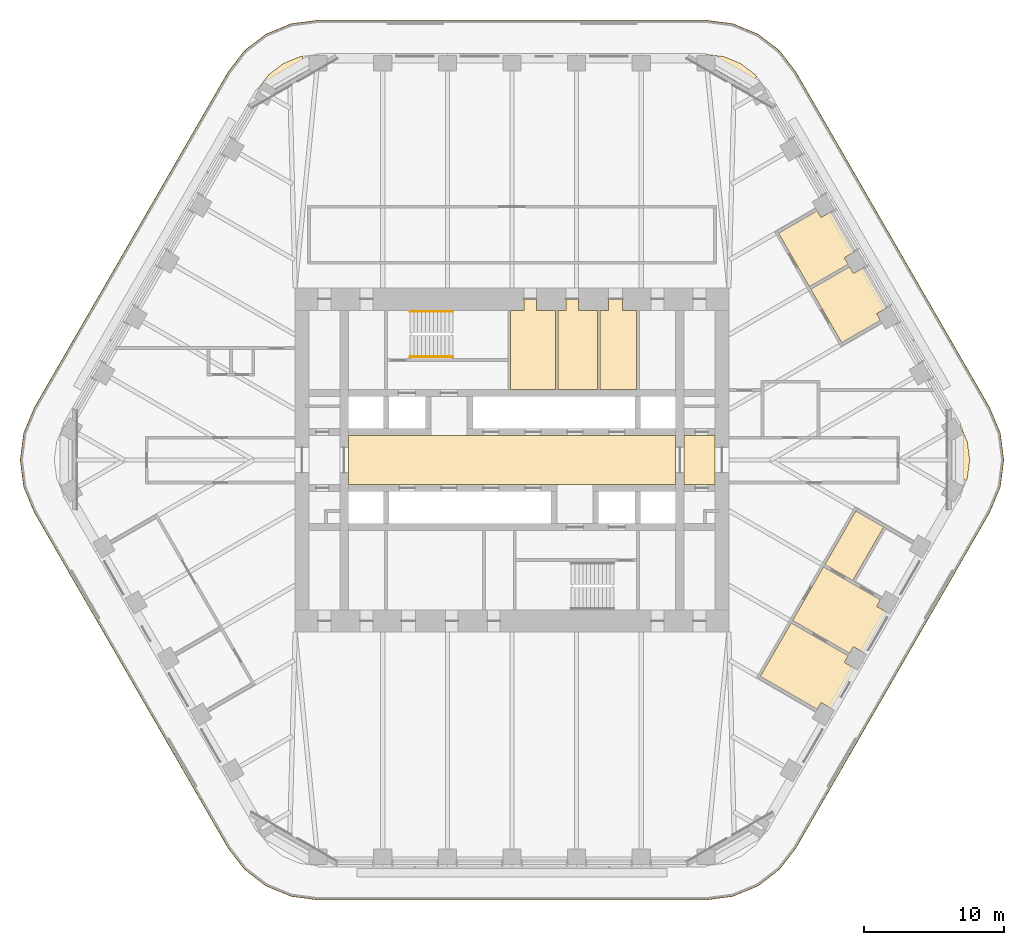
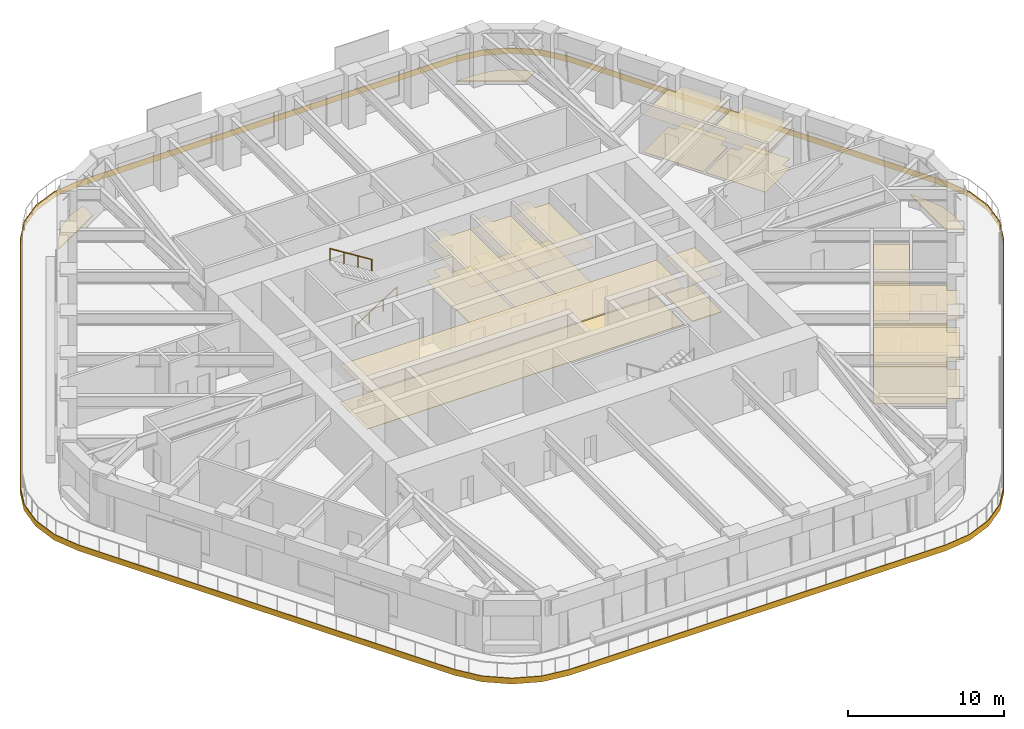
# One storey, part 19 of 20: 16 coverings, 2 railings.
"""IFC4 building model written with IfcOpenShell, lengths in metres."""

from ifc_helpers import new_model, si_unit, direction, frame, origin, origin_2d, place, context, subcontext, project, spatial, polyline, circle, outline, extrude, material, layer, layer_set, type_object, element, save


model = new_model("IFC4")

# Units and contexts
model_context = context("Model", 3, precision=1e-05, world=origin(), true_north=direction((0.0, 1.0)))
body_context = subcontext(model_context, "Body", "Model", "MODEL_VIEW")
ifc_project = project(units=[si_unit("LENGTHUNIT", "METRE"), si_unit("AREAUNIT", "SQUARE_METRE"), si_unit("VOLUMEUNIT", "CUBIC_METRE"), si_unit("PLANEANGLEUNIT", "RADIAN"), si_unit("MASSUNIT", "GRAM", prefix="KILO")], contexts=[model_context])

# Site, building, storey
site_placement = place(None, origin())
site = spatial("IfcSite", under=ifc_project, at=site_placement, CompositionType="ELEMENT")
building_placement = place(site_placement, origin())
building = spatial("IfcBuilding", under=site, at=building_placement, Name="Tarfa Lantern Tower", CompositionType="ELEMENT")
storey_placement = place(building_placement, frame((0.0, 0.0, 249.10009765625)))
storey = spatial("IfcBuildingStorey", under=building, at=storey_placement, Name="L56", CompositionType="ELEMENT", Elevation=249.10009765625)

# Coverings
ifc_material_1 = material(Name="Mineral fibre acoustic tile on suspension grid", Category="finish")
ifc_layer_1 = layer(ifc_material_1, 0.02001953125)
ifc_layer_set_1 = layer_set([ifc_layer_1], Name="CL1 ACOUSTIC TILE CEILING 20")
covering_type_1 = type_object("IfcCoveringType", Name="CL1 ACOUSTIC TILE CEILING 20", PredefinedType="CEILING", material=ifc_layer_set_1)
covering_1_placement = place(storey_placement, frame((0.0, 0.0, 2.89990234375)))
element("IfcCovering", 1, at=covering_1_placement, inside=storey, type_object=covering_type_1, Name="Ceiling L56 CL1", PredefinedType="CEILING", context=body_context, shape_type="SweptSolid", body=[
    extrude(outline(polyline([(21.354248046875, 12.21337890625), (24.12548828125, 13.8134765625), (24.400390625, 13.337158203125), (25.13671875, 13.761962890625), (26.796142578125, 10.887939453125), (26.059814453125, 10.462890625), (26.3349609375, 9.986572265625), (23.563720703125, 8.38671875), (21.354248046875, 12.21337890625)])), origin(), (0.0, 0.0, 1.0), 0.02001953125),
    extrude(outline(polyline([(19.044921875, 16.21337890625), (21.816162109375, 17.8134765625), (22.091064453125, 17.337158203125), (22.8271484375, 17.761962890625), (24.486572265625, 14.887939453125), (23.75048828125, 14.462890625), (24.025390625, 13.986572265625), (21.254150390625, 12.38671875), (19.044921875, 16.21337890625)])), origin(), (0.0, 0.0, 1.0), 0.02001953125),
    extrude(outline(polyline([(19.955078125, -11.63671875), (24.025390625, -13.986572265625), (23.75048828125, -14.462890625), (24.486572265625, -14.887939453125), (22.8271484375, -17.761962890625), (22.091064453125, -17.337158203125), (21.816162109375, -17.8134765625), (17.745849609375, -15.46337890625), (19.955078125, -11.63671875)])), origin(), (0.0, 0.0, 1.0), 0.02001953125),
    extrude(outline(polyline([(22.2646484375, -7.63671875), (26.3349609375, -9.986572265625), (26.059814453125, -10.462890625), (26.796142578125, -10.887939453125), (25.13671875, -13.761962890625), (24.400390625, -13.337158203125), (24.12548828125, -13.8134765625), (20.05517578125, -11.46337890625), (22.2646484375, -7.63671875)])), origin(), (0.0, 0.0, 1.0), 0.02001953125),
    extrude(outline(polyline([(24.573974609375, -3.63671875), (26.56591796875, -4.78662109375), (24.3564453125, -8.61328125), (22.364501953125, -7.46337890625), (24.573974609375, -3.63671875)])), origin(), (0.0, 0.0, 1.0), 0.02001953125),
])
ifc_material_2 = material(Name="Moisture-resistant plasterboard", Category="finish")
ifc_layer_2 = layer(ifc_material_2, 0.014892578125)
ifc_layer_set_2 = layer_set([ifc_layer_2], Name="CL2 MOISTURE-RESISTANT PLASTERBOARD CEILING 15")
covering_type_2 = type_object("IfcCoveringType", Name="CL2 MOISTURE-RESISTANT PLASTERBOARD CEILING 15", PredefinedType="CEILING", material=ifc_layer_set_2)
covering_2_placement = place(storey_placement, frame((0.0, 0.0, 2.89990234375)))
element("IfcCovering", 2, at=covering_2_placement, inside=storey, type_object=covering_type_2, Name="Ceiling L56-07", PredefinedType="CEILING", context=body_context, shape_type="SweptSolid", body=[
    extrude(outline(polyline([(0.85009765625, 10.699951171875), (-0.10009765625, 10.699951171875), (-0.10009765625, 5.050048828125), (3.10009765625, 5.050048828125), (3.10009765625, 10.699951171875), (1.75, 10.699951171875), (1.75, 11.5), (0.85009765625, 11.5), (0.85009765625, 10.699951171875)])), origin(), (0.0, 0.0, 1.0), 0.014892578125),
])
covering_3_placement = place(storey_placement, frame((0.0, 0.0, 2.89990234375)))
element("IfcCovering", 3, at=covering_3_placement, inside=storey, type_object=covering_type_2, Name="Ceiling L56-08", PredefinedType="CEILING", context=body_context, shape_type="SweptSolid", body=[
    extrude(outline(polyline([(3.300048828125, 5.050048828125), (6.10009765625, 5.050048828125), (6.10009765625, 10.699951171875), (4.75, 10.699951171875), (4.75, 11.5), (3.85009765625, 11.5), (3.85009765625, 10.699951171875), (3.300048828125, 10.699951171875), (3.300048828125, 5.050048828125)])), origin(), (0.0, 0.0, 1.0), 0.014892578125),
])
covering_4_placement = place(storey_placement, frame((0.0, 0.0, 2.89990234375)))
element("IfcCovering", 4, at=covering_4_placement, inside=storey, type_object=covering_type_2, Name="Ceiling L56-09", PredefinedType="CEILING", context=body_context, shape_type="SweptSolid", body=[
    extrude(outline(polyline([(6.300048828125, 5.050048828125), (8.89990234375, 5.050048828125), (8.89990234375, 10.699951171875), (7.89990234375, 10.699951171875), (7.89990234375, 11.5), (6.89990234375, 11.5), (6.89990234375, 10.699951171875), (6.300048828125, 10.699951171875), (6.300048828125, 5.050048828125)])), origin(), (0.0, 0.0, 1.0), 0.014892578125),
])
ifc_material_3 = material(Name="Powder-coated aluminium panel", Category="aluminium")
ifc_layer_3 = layer(ifc_material_3, 0.030029296875)
ifc_layer_set_3 = layer_set([ifc_layer_3], Name="CL3 METAL PANEL CEILING 30")
covering_type_3 = type_object("IfcCoveringType", Name="CL3 METAL PANEL CEILING 30", PredefinedType="CEILING", material=ifc_layer_set_3)
covering_5_placement = place(storey_placement, frame((0.0, 0.0, 2.89990234375)))
element("IfcCovering", 5, at=covering_5_placement, inside=storey, type_object=covering_type_3, Name="Ceiling L56-02", PredefinedType="CEILING", context=body_context, shape_type="SweptSolid", body=[
    extrude(outline(polyline([(-11.699951171875, -1.75), (11.699951171875, -1.75), (11.699951171875, 1.75), (-11.699951171875, 1.75), (-11.699951171875, -1.75)])), origin(), (0.0, 0.0, 1.0), 0.030029296875),
])
covering_6_placement = place(storey_placement, frame((0.0, 0.0, 2.89990234375)))
element("IfcCovering", 6, at=covering_6_placement, inside=storey, type_object=covering_type_3, Name="Ceiling L56-03", PredefinedType="CEILING", context=body_context, shape_type="SweptSolid", body=[
    extrude(outline(polyline([(12.300048828125, -1.75), (14.5, -1.75), (14.5, 1.75), (12.300048828125, 1.75), (12.300048828125, -1.75)])), origin(), (0.0, 0.0, 1.0), 0.030029296875),
])
ifc_material_4 = material(Name="Nylon carpet tile", Category="finish")
ifc_layer_4 = layer(ifc_material_4, 0.010009765625)
ifc_layer_set_4 = layer_set([ifc_layer_4], Name="FL1 CARPET TILE 10")
covering_type_4 = type_object("IfcCoveringType", Name="FL1 CARPET TILE 10", PredefinedType="FLOORING", material=ifc_layer_set_4)
covering_7_placement = place(storey_placement, origin())
element("IfcCovering", 7, at=covering_7_placement, inside=storey, type_object=covering_type_4, Name="Floor finish L56 FL1", PredefinedType="FLOORING", context=body_context, shape_type="SweptSolid", body=[
    extrude(outline(polyline([(21.354248046875, 12.21337890625), (24.12548828125, 13.8134765625), (24.400390625, 13.337158203125), (25.13671875, 13.761962890625), (26.796142578125, 10.887939453125), (26.059814453125, 10.462890625), (26.3349609375, 9.986572265625), (23.563720703125, 8.38671875), (21.354248046875, 12.21337890625)])), origin(), (0.0, 0.0, 1.0), 0.010009765625),
    extrude(outline(polyline([(19.044921875, 16.21337890625), (21.816162109375, 17.8134765625), (22.091064453125, 17.337158203125), (22.8271484375, 17.761962890625), (24.486572265625, 14.887939453125), (23.75048828125, 14.462890625), (24.025390625, 13.986572265625), (21.254150390625, 12.38671875), (19.044921875, 16.21337890625)])), origin(), (0.0, 0.0, 1.0), 0.010009765625),
    extrude(outline(polyline([(19.955078125, -11.63671875), (24.025390625, -13.986572265625), (23.75048828125, -14.462890625), (24.486572265625, -14.887939453125), (22.8271484375, -17.761962890625), (22.091064453125, -17.337158203125), (21.816162109375, -17.8134765625), (17.745849609375, -15.46337890625), (19.955078125, -11.63671875)])), origin(), (0.0, 0.0, 1.0), 0.010009765625),
    extrude(outline(polyline([(22.2646484375, -7.63671875), (26.3349609375, -9.986572265625), (26.059814453125, -10.462890625), (26.796142578125, -10.887939453125), (25.13671875, -13.761962890625), (24.400390625, -13.337158203125), (24.12548828125, -13.8134765625), (20.05517578125, -11.46337890625), (22.2646484375, -7.63671875)])), origin(), (0.0, 0.0, 1.0), 0.010009765625),
    extrude(outline(polyline([(24.573974609375, -3.63671875), (26.56591796875, -4.78662109375), (24.3564453125, -8.61328125), (22.364501953125, -7.46337890625), (24.573974609375, -3.63671875)])), origin(), (0.0, 0.0, 1.0), 0.010009765625),
])
ifc_material_5 = material(Name="Honed limestone flooring", Category="masonry")
ifc_layer_5 = layer(ifc_material_5, 0.030029296875)
ifc_layer_set_5 = layer_set([ifc_layer_5], Name="FL2 STONE FLOORING 30")
covering_type_5 = type_object("IfcCoveringType", Name="FL2 STONE FLOORING 30", PredefinedType="FLOORING", material=ifc_layer_set_5)
covering_8_placement = place(storey_placement, origin())
element("IfcCovering", 8, at=covering_8_placement, inside=storey, type_object=covering_type_5, Name="Floor finish L56-02", PredefinedType="FLOORING", context=body_context, shape_type="SweptSolid", body=[
    extrude(outline(polyline([(-11.699951171875, -1.75), (11.699951171875, -1.75), (11.699951171875, 1.75), (-11.699951171875, 1.75), (-11.699951171875, -1.75)])), origin(), (0.0, 0.0, 1.0), 0.02978515625),
])
covering_9_placement = place(storey_placement, origin())
element("IfcCovering", 9, at=covering_9_placement, inside=storey, type_object=covering_type_5, Name="Floor finish L56-03", PredefinedType="FLOORING", context=body_context, shape_type="SweptSolid", body=[
    extrude(outline(polyline([(12.300048828125, -1.75), (14.5, -1.75), (14.5, 1.75), (12.300048828125, 1.75), (12.300048828125, -1.75)])), origin(), (0.0, 0.0, 1.0), 0.02978515625),
])
ifc_material_6 = material(Name="Porcelain floor tile", Category="finish")
ifc_layer_6 = layer(ifc_material_6, 0.011962890625)
ifc_layer_set_6 = layer_set([ifc_layer_6], Name="FL3 CERAMIC TILE 12")
covering_type_6 = type_object("IfcCoveringType", Name="FL3 CERAMIC TILE 12", PredefinedType="FLOORING", material=ifc_layer_set_6)
covering_10_placement = place(storey_placement, origin())
element("IfcCovering", 10, at=covering_10_placement, inside=storey, type_object=covering_type_6, Name="Floor finish L56-07", PredefinedType="FLOORING", context=body_context, shape_type="SweptSolid", body=[
    extrude(outline(polyline([(0.85009765625, 10.699951171875), (-0.10009765625, 10.699951171875), (-0.10009765625, 5.050048828125), (3.10009765625, 5.050048828125), (3.10009765625, 10.699951171875), (1.75, 10.699951171875), (1.75, 11.5), (0.85009765625, 11.5), (0.85009765625, 10.699951171875)])), origin(), (0.0, 0.0, 1.0), 0.011962890625),
])
covering_11_placement = place(storey_placement, origin())
element("IfcCovering", 11, at=covering_11_placement, inside=storey, type_object=covering_type_6, Name="Floor finish L56-08", PredefinedType="FLOORING", context=body_context, shape_type="SweptSolid", body=[
    extrude(outline(polyline([(3.300048828125, 5.050048828125), (6.10009765625, 5.050048828125), (6.10009765625, 10.699951171875), (4.75, 10.699951171875), (4.75, 11.5), (3.85009765625, 11.5), (3.85009765625, 10.699951171875), (3.300048828125, 10.699951171875), (3.300048828125, 5.050048828125)])), origin(), (0.0, 0.0, 1.0), 0.011962890625),
])
covering_12_placement = place(storey_placement, origin())
element("IfcCovering", 12, at=covering_12_placement, inside=storey, type_object=covering_type_6, Name="Floor finish L56-09", PredefinedType="FLOORING", context=body_context, shape_type="SweptSolid", body=[
    extrude(outline(polyline([(6.300048828125, 5.050048828125), (8.89990234375, 5.050048828125), (8.89990234375, 10.699951171875), (7.89990234375, 10.699951171875), (7.89990234375, 11.5), (6.89990234375, 11.5), (6.89990234375, 10.699951171875), (6.300048828125, 10.699951171875), (6.300048828125, 5.050048828125)])), origin(), (0.0, 0.0, 1.0), 0.011962890625),
])

# Railings
ifc_material_7 = material(Name="Stainless steel", Category="steel")
railing_type = type_object("IfcRailingType", Name="HR1 HANDRAIL 900", PredefinedType="HANDRAIL", material=ifc_material_7)
railing_1_placement = place(storey_placement, frame((-7.300048828125, 7.3798828125, 0.1748046875)))
element("IfcRailing", 13, at=railing_1_placement, inside=storey, type_object=railing_type, Name="Handrail 1", PredefinedType="HANDRAIL", context=body_context, shape_type="SweptSolid", body=[
    extrude(circle(Radius=0.02392578125, at=origin_2d()), frame((0.0, 0.0, 0.8759765625), z_axis=(0.847998304005, 0.0, 0.529998940003), x_axis=(0.0, 1.0, 0.0)), (0.0, 0.0, 1.0), 3.632080078125),
    extrude(circle(Radius=0.02099609375, at=origin_2d()), frame((0.0, 0.0, 0.0), z_axis=(0.0, 0.0, 1.0), x_axis=(0.0, 1.0, 0.0)), (0.0, 0.0, 1.0), 0.851806640625),
    extrude(circle(Radius=0.02099609375, at=origin_2d()), frame((1.026611328125, 0.0, 0.6416015625), z_axis=(0.0, 0.0, 1.0), x_axis=(0.0, 1.0, 0.0)), (0.0, 0.0, 1.0), 0.851806640625),
    extrude(circle(Radius=0.02099609375, at=origin_2d()), frame((2.053466796875, 0.0, 1.283447265625), z_axis=(0.0, 0.0, 1.0), x_axis=(0.0, 1.0, 0.0)), (0.0, 0.0, 1.0), 0.851806640625),
    extrude(circle(Radius=0.02099609375, at=origin_2d()), frame((3.080078125, 0.0, 1.925048828125), z_axis=(0.0, 0.0, 1.0), x_axis=(0.0, 1.0, 0.0)), (0.0, 0.0, 1.0), 0.851806640625),
])
railing_2_placement = place(storey_placement, frame((-4.219970703125, 10.6201171875, 2.27490234375)))
element("IfcRailing", 14, at=railing_2_placement, inside=storey, type_object=railing_type, Name="Handrail 2", PredefinedType="HANDRAIL", context=body_context, shape_type="SweptSolid", body=[
    extrude(circle(Radius=0.02392578125, at=origin_2d()), frame((0.0, 0.0, 0.8759765625), z_axis=(-0.847998304005, 0.0, 0.529998940003), x_axis=(0.0, -1.0, 0.0)), (0.0, 0.0, 1.0), 3.632080078125),
    extrude(circle(Radius=0.02099609375, at=origin_2d()), frame((0.0, 0.0, 0.0), z_axis=(0.0, 0.0, 1.0), x_axis=(0.0, -1.0, 0.0)), (0.0, 0.0, 1.0), 0.851806640625),
    extrude(circle(Radius=0.02099609375, at=origin_2d()), frame((-1.026611328125, 0.0, 0.6416015625), z_axis=(0.0, 0.0, 1.0), x_axis=(0.0, -1.0, 0.0)), (0.0, 0.0, 1.0), 0.851806640625),
    extrude(circle(Radius=0.02099609375, at=origin_2d()), frame((-2.053466796875, 0.0, 1.283447265625), z_axis=(0.0, 0.0, 1.0), x_axis=(0.0, -1.0, 0.0)), (0.0, 0.0, 1.0), 0.851806640625),
    extrude(circle(Radius=0.02099609375, at=origin_2d()), frame((-3.080078125, 0.0, 1.925048828125), z_axis=(0.0, 0.0, 1.0), x_axis=(0.0, -1.0, 0.0)), (0.0, 0.0, 1.0), 0.851806640625),
])

# Coverings
ifc_material_8 = material(Name="Porcelain pavers on pedestals", Category="ceramic")
ifc_layer_7 = layer(ifc_material_8, 0.0400390625)
ifc_layer_set_7 = layer_set([ifc_layer_7], Name="LP1 LOGGIA PAVING 40")
covering_type_7 = type_object("IfcCoveringType", Name="LP1 LOGGIA PAVING 40", PredefinedType="FLOORING", material=ifc_layer_set_7)
covering_13_placement = place(storey_placement, origin())
element("IfcCovering", 15, at=covering_13_placement, inside=storey, type_object=covering_type_7, Name="Sky garden paving NE-N", PredefinedType="FLOORING", context=body_context, shape_type="SweptSolid", body=[
    extrude(outline(polyline([(15.150390625, 28.82958984375), (16.3564453125, 28.330078125), (17.391845703125, 27.53564453125), (17.51123046875, 27.380126953125), (16.4765625, 26.782958984375), (12.641357421875, 28.997314453125), (12.64306640625, 29.0), (13.8564453125, 29.0), (15.150390625, 28.82958984375)])), origin(), (0.0, 0.0, 1.0), 0.039794921875),
])
covering_14_placement = place(storey_placement, origin())
element("IfcCovering", 16, at=covering_14_placement, inside=storey, type_object=covering_type_7, Name="Sky garden paving N-NW", PredefinedType="FLOORING", context=body_context, shape_type="SweptSolid", body=[
    extrude(outline(polyline([(-17.391845703125, 27.53564453125), (-16.3564453125, 28.330078125), (-15.150390625, 28.82958984375), (-14.956298828125, 28.855224609375), (-14.956298828125, 27.66064453125), (-18.791748046875, 25.4462890625), (-18.793212890625, 25.44921875), (-18.1865234375, 26.5), (-17.391845703125, 27.53564453125)])), origin(), (0.0, 0.0, 1.0), 0.039794921875),
])
covering_15_placement = place(storey_placement, origin())
element("IfcCovering", 17, at=covering_15_placement, inside=storey, type_object=covering_type_7, Name="Sky garden paving SE-NE", PredefinedType="FLOORING", context=body_context, shape_type="SweptSolid", body=[
    extrude(outline(polyline([(32.54248046875, 1.294189453125), (32.712890625, 0.0), (32.54248046875, -1.294189453125), (32.467529296875, -1.474853515625), (31.43310546875, -0.877685546875), (31.43310546875, 3.55078125), (31.436279296875, 3.55078125), (32.04296875, 2.5), (32.54248046875, 1.294189453125)])), origin(), (0.0, 0.0, 1.0), 0.039794921875),
])
ifc_material_9 = material(Name="Limestone cladding on brackets", Category="masonry")
ifc_layer_8 = layer(ifc_material_9, 0.050048828125)
ifc_layer_set_8 = layer_set([ifc_layer_8], Name="SB1 STONE BAND CLADDING 50")
covering_type_8 = type_object("IfcCoveringType", Name="SB1 STONE BAND CLADDING 50", PredefinedType="CLADDING", material=ifc_layer_set_8)
covering_16_placement = place(storey_placement, frame((0.0, 0.0, -0.400146484375)))
element("IfcCovering", 18, at=covering_16_placement, inside=storey, type_object=covering_type_8, Name="Stone band", PredefinedType="CLADDING", context=body_context, shape_type="SweptSolid", body=[
    extrude(outline(polyline([(34.164794921875, 3.72509765625), (20.308349609375, 27.72509765625), (19.124267578125, 29.26806640625), (17.581298828125, 30.451904296875), (15.78466796875, 31.196044921875), (13.8564453125, 31.449951171875), (-13.8564453125, 31.449951171875), (-15.78466796875, 31.196044921875), (-17.581298828125, 30.451904296875), (-19.124267578125, 29.26806640625), (-20.308349609375, 27.72509765625), (-34.164794921875, 3.72509765625), (-34.908935546875, 1.92822265625), (-35.162841796875, 0.0), (-34.908935546875, -1.92822265625), (-34.164794921875, -3.72509765625), (-20.308349609375, -27.72509765625), (-19.124267578125, -29.26806640625), (-17.581298828125, -30.451904296875), (-15.78466796875, -31.196044921875), (-13.8564453125, -31.449951171875), (13.8564453125, -31.449951171875), (15.78466796875, -31.196044921875), (17.581298828125, -30.451904296875), (19.124267578125, -29.26806640625), (20.308349609375, -27.72509765625), (34.164794921875, -3.72509765625), (34.908935546875, -1.92822265625), (35.162841796875, 0.0), (34.908935546875, 1.92822265625), (34.164794921875, 3.72509765625)]), holes=[polyline([(34.121337890625, 3.699951171875), (20.264892578125, 27.699951171875), (19.089111328125, 29.232666015625), (17.556396484375, 30.40869140625), (15.771728515625, 31.14794921875), (13.8564453125, 31.39990234375), (-13.8564453125, 31.39990234375), (-15.771728515625, 31.14794921875), (-17.556396484375, 30.40869140625), (-19.089111328125, 29.232666015625), (-20.264892578125, 27.699951171875), (-34.121337890625, 3.699951171875), (-34.860595703125, 1.915283203125), (-35.11279296875, 0.0), (-34.860595703125, -1.915283203125), (-34.121337890625, -3.699951171875), (-20.264892578125, -27.699951171875), (-19.089111328125, -29.232666015625), (-17.556396484375, -30.40869140625), (-15.771728515625, -31.14794921875), (-13.8564453125, -31.39990234375), (13.8564453125, -31.39990234375), (15.771728515625, -31.14794921875), (17.556396484375, -30.40869140625), (19.089111328125, -29.232666015625), (20.264892578125, -27.699951171875), (34.121337890625, -3.699951171875), (34.860595703125, -1.915283203125), (35.11279296875, 0.0), (34.860595703125, 1.915283203125), (34.121337890625, 3.699951171875)])]), origin(), (0.0, 0.0, 1.0), 0.449951171875),
])

save(model, "model.ifc")
